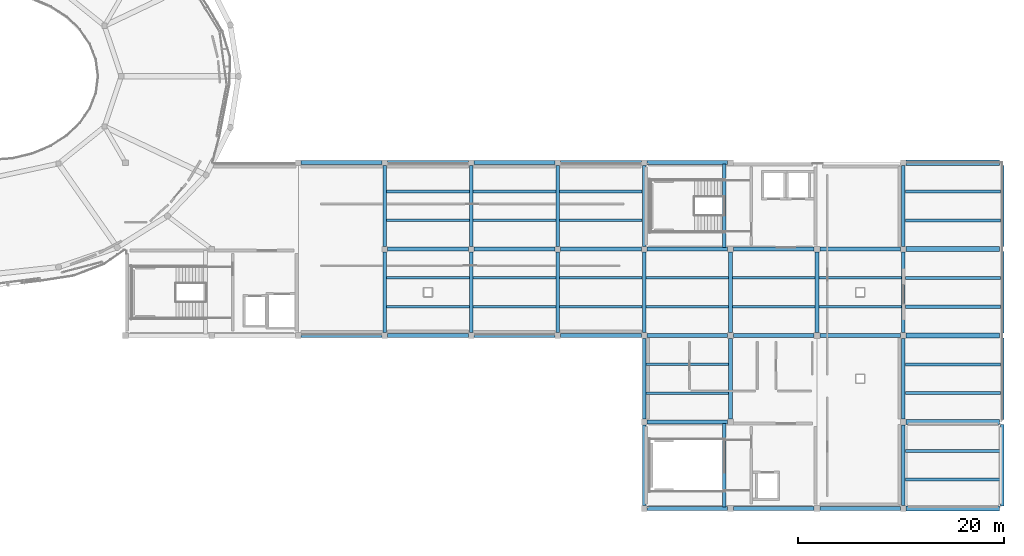
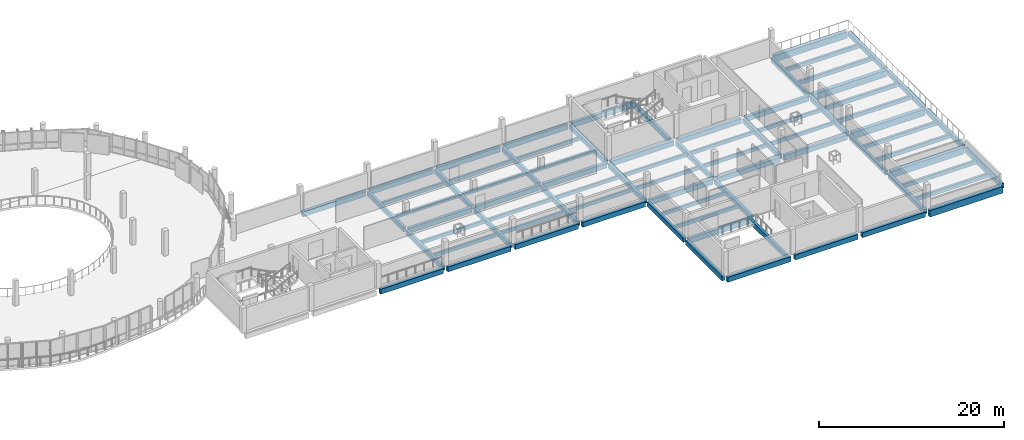
# One storey, part 26 of 43: 78 beams.
"""IFC4 building model written with IfcOpenShell, lengths in metres."""

from ifc_helpers import new_model, si_unit, derived_unit, direction, frame, origin, origin_2d, place, context, subcontext, project, spatial, rectangle, extrude, material, material_profile, profile_set, type_object, element, save


model = new_model("IFC4")

# Units and contexts
model_context = context("Model", 3, precision=1e-05, world=origin(), true_north=direction((0.0, 1.0)))
body_context = subcontext(model_context, "Body", "Model", "MODEL_VIEW")
ifc_project = project(units=[si_unit("LENGTHUNIT", "METRE"), si_unit("AREAUNIT", "SQUARE_METRE"), si_unit("VOLUMEUNIT", "CUBIC_METRE"), si_unit("PLANEANGLEUNIT", "RADIAN"), si_unit("MASSUNIT", "GRAM", prefix="KILO"), derived_unit("THERMALTRANSMITTANCEUNIT", [(si_unit("POWERUNIT", "WATT"), 1), (si_unit("LENGTHUNIT", "METRE"), -2), (si_unit("THERMODYNAMICTEMPERATUREUNIT", "KELVIN"), -1)])], contexts=[model_context])

# Site, building, storey
site_placement = place(None, origin())
site = spatial("IfcSite", under=ifc_project, at=site_placement, CompositionType="ELEMENT")
building_placement = place(site_placement, origin())
building = spatial("IfcBuilding", under=site, at=building_placement, Name="Elbkamm Science Centre", CompositionType="ELEMENT")
storey_placement = place(building_placement, frame((0.0, 0.0, 18.300048828125)))
storey = spatial("IfcBuildingStorey", under=building, at=storey_placement, Name="L04", CompositionType="ELEMENT", Elevation=18.300048828125)

# Beams
ifc_material = material(Name="Concrete C40/50", Category="concrete")
ifc_material_profile_1 = material_profile(ifc_material, rectangle(XDim=0.35009765625, YDim=0.60009765625, at=origin_2d()), Name="RC 350x600")
ifc_profile_set_1 = profile_set([ifc_material_profile_1], Name="Concrete C40/50")
beam_type_1 = type_object("IfcBeamType", Name="BM-RC-350x600", PredefinedType="BEAM", material=ifc_profile_set_1)
beam_1_placement = place(storey_placement, frame((100.800048828125, 42.27490234375, -0.580078125), z_axis=(0.0, 1.0, 0.0), x_axis=(-1.0, 0.0, 0.0)))
element("IfcBeam", 1, at=beam_1_placement, inside=storey, type_object=beam_type_1, Name="L04 Primary Y-Girder 003", PredefinedType="BEAM", context=body_context, shape_type="SweptSolid", body=[
    extrude(rectangle(XDim=0.35009765625, YDim=0.60009765625, at=origin_2d()), origin(), (0.0, 0.0, 1.0), 7.85009765625),
])
beam_2_placement = place(storey_placement, frame((100.800048828125, 50.675048828125, -0.580078125), z_axis=(0.0, 1.0, 0.0), x_axis=(-1.0, 0.0, 0.0)))
element("IfcBeam", 2, at=beam_2_placement, inside=storey, type_object=beam_type_1, Name="L04 Primary Y-Girder 004", PredefinedType="BEAM", context=body_context, shape_type="SweptSolid", body=[
    extrude(rectangle(XDim=0.35009765625, YDim=0.60009765625, at=origin_2d()), origin(), (0.0, 0.0, 1.0), 7.849853515625),
])
beam_3_placement = place(storey_placement, frame((109.199951171875, 42.27490234375, -0.580078125), z_axis=(0.0, 1.0, 0.0), x_axis=(-1.0, 0.0, 0.0)))
element("IfcBeam", 3, at=beam_3_placement, inside=storey, type_object=beam_type_1, Name="L04 Primary Y-Girder 005", PredefinedType="BEAM", context=body_context, shape_type="SweptSolid", body=[
    extrude(rectangle(XDim=0.35009765625, YDim=0.60009765625, at=origin_2d()), origin(), (0.0, 0.0, 1.0), 7.85009765625),
])
beam_4_placement = place(storey_placement, frame((109.199951171875, 50.675048828125, -0.580078125), z_axis=(0.0, 1.0, 0.0), x_axis=(-1.0, 0.0, 0.0)))
element("IfcBeam", 4, at=beam_4_placement, inside=storey, type_object=beam_type_1, Name="L04 Primary Y-Girder 006", PredefinedType="BEAM", context=body_context, shape_type="SweptSolid", body=[
    extrude(rectangle(XDim=0.35009765625, YDim=0.60009765625, at=origin_2d()), origin(), (0.0, 0.0, 1.0), 7.849853515625),
])
beam_5_placement = place(storey_placement, frame((117.60009765625, 42.27490234375, -0.580078125), z_axis=(0.0, 1.0, 0.0), x_axis=(-1.0, 0.0, 0.0)))
element("IfcBeam", 5, at=beam_5_placement, inside=storey, type_object=beam_type_1, Name="L04 Primary Y-Girder 007", PredefinedType="BEAM", context=body_context, shape_type="SweptSolid", body=[
    extrude(rectangle(XDim=0.35009765625, YDim=0.60009765625, at=origin_2d()), origin(), (0.0, 0.0, 1.0), 7.85009765625),
])
for number, where, z_axis, x_axis, name in (
    (6, (117.60009765625, 50.675048828125, -0.580078125), (0.0, 1.0, 0.0), (-1.0, 0.0, 0.0), "L04 Primary Y-Girder 008"),
    (7, (126.0, 25.47509765625, -0.580078125), (0.0, 1.0, 0.0), (-1.0, 0.0, 0.0), "L04 Primary Y-Girder 009"),
):
    element("IfcBeam", number, at=place(storey_placement, frame(where, z_axis=z_axis, x_axis=x_axis)), inside=storey, type_object=beam_type_1, Name=name, PredefinedType="BEAM", context=body_context, shape_type="SweptSolid", body=[
        extrude(rectangle(XDim=0.35009765625, YDim=0.60009765625, at=origin_2d()), origin(), (0.0, 0.0, 1.0), 7.849853515625),
    ])
for number, where, z_axis, x_axis, name in (
    (8, (126.0, 33.875, -0.580078125), (0.0, 1.0, 0.0), (-1.0, 0.0, 0.0), "L04 Primary Y-Girder 010"),
    (9, (126.0, 42.27490234375, -0.580078125), (0.0, 1.0, 0.0), (-1.0, 0.0, 0.0), "L04 Primary Y-Girder 011"),
):
    element("IfcBeam", number, at=place(storey_placement, frame(where, z_axis=z_axis, x_axis=x_axis)), inside=storey, type_object=beam_type_1, Name=name, PredefinedType="BEAM", context=body_context, shape_type="SweptSolid", body=[
        extrude(rectangle(XDim=0.35009765625, YDim=0.60009765625, at=origin_2d()), origin(), (0.0, 0.0, 1.0), 7.85009765625),
    ])
beam_6_placement = place(storey_placement, frame((126.0, 50.675048828125, -0.580078125), z_axis=(0.0, 1.0, 0.0), x_axis=(-1.0, 0.0, 0.0)))
element("IfcBeam", 10, at=beam_6_placement, inside=storey, type_object=beam_type_1, Name="L04 Primary Y-Girder 012", PredefinedType="BEAM", context=body_context, shape_type="SweptSolid", body=[
    extrude(rectangle(XDim=0.35009765625, YDim=0.60009765625, at=origin_2d()), origin(), (0.0, 0.0, 1.0), 7.849853515625),
])
for number, where, z_axis, x_axis, name in (
    (11, (134.39990234375, 33.875, -0.580078125), (0.0, 1.0, 0.0), (-1.0, 0.0, 0.0), "L04 Primary Y-Girder 013"),
    (12, (134.39990234375, 42.27490234375, -0.580078125), (0.0, 1.0, 0.0), (-1.0, 0.0, 0.0), "L04 Primary Y-Girder 014"),
    (13, (142.800048828125, 42.27490234375, -0.580078125), (0.0, 1.0, 0.0), (-1.0, 0.0, 0.0), "L04 Primary Y-Girder 015"),
):
    element("IfcBeam", number, at=place(storey_placement, frame(where, z_axis=z_axis, x_axis=x_axis)), inside=storey, type_object=beam_type_1, Name=name, PredefinedType="BEAM", context=body_context, shape_type="SweptSolid", body=[
        extrude(rectangle(XDim=0.35009765625, YDim=0.60009765625, at=origin_2d()), origin(), (0.0, 0.0, 1.0), 7.85009765625),
    ])
beam_7_placement = place(storey_placement, frame((151.199951171875, 25.47509765625, -0.580078125), z_axis=(0.0, 1.0, 0.0), x_axis=(-1.0, 0.0, 0.0)))
element("IfcBeam", 14, at=beam_7_placement, inside=storey, type_object=beam_type_1, Name="L04 Primary Y-Girder 016", PredefinedType="BEAM", context=body_context, shape_type="SweptSolid", body=[
    extrude(rectangle(XDim=0.35009765625, YDim=0.60009765625, at=origin_2d()), origin(), (0.0, 0.0, 1.0), 7.849853515625),
])
for number, where, z_axis, x_axis, name in (
    (15, (151.199951171875, 33.875, -0.580078125), (0.0, 1.0, 0.0), (-1.0, 0.0, 0.0), "L04 Primary Y-Girder 017"),
    (16, (151.199951171875, 42.27490234375, -0.580078125), (0.0, 1.0, 0.0), (-1.0, 0.0, 0.0), "L04 Primary Y-Girder 018"),
):
    element("IfcBeam", number, at=place(storey_placement, frame(where, z_axis=z_axis, x_axis=x_axis)), inside=storey, type_object=beam_type_1, Name=name, PredefinedType="BEAM", context=body_context, shape_type="SweptSolid", body=[
        extrude(rectangle(XDim=0.35009765625, YDim=0.60009765625, at=origin_2d()), origin(), (0.0, 0.0, 1.0), 7.85009765625),
    ])
beam_8_placement = place(storey_placement, frame((151.199951171875, 50.675048828125, -0.580078125), z_axis=(0.0, 1.0, 0.0), x_axis=(-1.0, 0.0, 0.0)))
element("IfcBeam", 17, at=beam_8_placement, inside=storey, type_object=beam_type_1, Name="L04 Primary Y-Girder 019", PredefinedType="BEAM", context=body_context, shape_type="SweptSolid", body=[
    extrude(rectangle(XDim=0.35009765625, YDim=0.60009765625, at=origin_2d()), origin(), (0.0, 0.0, 1.0), 7.849853515625),
])
beam_9_placement = place(storey_placement, frame((160.800048828125, 25.449951171875, -0.570068359375), z_axis=(0.0, 1.0, 0.0), x_axis=(-1.0, 0.0, 0.0)))
element("IfcBeam", 18, at=beam_9_placement, inside=storey, type_object=beam_type_1, Name="L04 Primary Y-Girder 020", PredefinedType="BEAM", context=body_context, shape_type="SweptSolid", body=[
    extrude(rectangle(XDim=0.35009765625, YDim=0.60009765625, at=origin_2d()), origin(), (0.0, 0.0, 1.0), 7.900146484375),
])
for number, where, z_axis, x_axis, name in (
    (19, (160.800048828125, 33.85009765625, -0.52001953125), (0.0, 1.0, 0.0), (-1.0, 0.0, 0.0), "L04 Primary Y-Girder 021"),
    (20, (160.800048828125, 42.25, -0.52001953125), (0.0, 1.0, 0.0), (-1.0, 0.0, 0.0), "L04 Primary Y-Girder 022"),
):
    element("IfcBeam", number, at=place(storey_placement, frame(where, z_axis=z_axis, x_axis=x_axis)), inside=storey, type_object=beam_type_1, Name=name, PredefinedType="BEAM", context=body_context, shape_type="SweptSolid", body=[
        extrude(rectangle(XDim=0.35009765625, YDim=0.60009765625, at=origin_2d()), origin(), (0.0, 0.0, 1.0), 7.89990234375),
    ])
beam_10_placement = place(storey_placement, frame((160.800048828125, 50.64990234375, -0.52001953125), z_axis=(0.0, 1.0, 0.0), x_axis=(-1.0, 0.0, 0.0)))
element("IfcBeam", 21, at=beam_10_placement, inside=storey, type_object=beam_type_1, Name="L04 Primary Y-Girder 023", PredefinedType="BEAM", context=body_context, shape_type="SweptSolid", body=[
    extrude(rectangle(XDim=0.35009765625, YDim=0.60009765625, at=origin_2d()), origin(), (0.0, 0.0, 1.0), 7.900146484375),
])
for number, where, z_axis, x_axis, name in (
    (22, (133.780029296875, 50.550048828125, -0.300048828125), (0.0, 1.0, 0.0), (-1.0, 0.0, 0.0), "L04 ST-C3 Landing Trimmer Beam"),
    (23, (133.780029296875, 25.35009765625, -0.300048828125), (0.0, 1.0, 0.0), (-1.0, 0.0, 0.0), "L04 ST-C4 Landing Trimmer Beam"),
):
    element("IfcBeam", number, at=place(storey_placement, frame(where, z_axis=z_axis, x_axis=x_axis)), inside=storey, type_object=beam_type_1, Name=name, PredefinedType="BEAM", context=body_context, shape_type="SweptSolid", body=[
        extrude(rectangle(XDim=0.35009765625, YDim=0.60009765625, at=origin_2d()), origin(), (0.0, 0.0, 1.0), 8.099853515625),
    ])
ifc_material_profile_2 = material_profile(ifc_material, rectangle(XDim=0.39990234375, YDim=0.64990234375, at=origin_2d()), Name="RC 400x650")
ifc_profile_set_2 = profile_set([ifc_material_profile_2], Name="Concrete C40/50")
beam_type_2 = type_object("IfcBeamType", Name="BM-RC-400x650", PredefinedType="BEAM", material=ifc_profile_set_2)
beam_11_placement = place(storey_placement, frame((126.27490234375, 25.199951171875, -0.60498046875), z_axis=(1.0, 0.0, 0.0), x_axis=(0.0, 1.0, 0.0)))
element("IfcBeam", 24, at=beam_11_placement, inside=storey, type_object=beam_type_2, Name="L04 Primary X-Girder 001", PredefinedType="BEAM", context=body_context, shape_type="SweptSolid", body=[
    extrude(rectangle(XDim=0.39990234375, YDim=0.64990234375, at=origin_2d()), origin(), (0.0, 0.0, 1.0), 7.85009765625),
])
beam_12_placement = place(storey_placement, frame((134.675048828125, 25.199951171875, -0.60498046875), z_axis=(1.0, 0.0, 0.0), x_axis=(0.0, 1.0, 0.0)))
element("IfcBeam", 25, at=beam_12_placement, inside=storey, type_object=beam_type_2, Name="L04 Primary X-Girder 002", PredefinedType="BEAM", context=body_context, shape_type="SweptSolid", body=[
    extrude(rectangle(XDim=0.39990234375, YDim=0.64990234375, at=origin_2d()), origin(), (0.0, 0.0, 1.0), 7.849853515625),
])
for number, where, z_axis, x_axis, name in (
    (26, (143.074951171875, 25.199951171875, -0.60498046875), (1.0, 0.0, 0.0), (0.0, 1.0, 0.0), "L04 Primary X-Girder 003"),
    (27, (126.27490234375, 33.60009765625, -0.60498046875), (1.0, 0.0, 0.0), (0.0, 1.0, 0.0), "L04 Primary X-Girder 005"),
):
    element("IfcBeam", number, at=place(storey_placement, frame(where, z_axis=z_axis, x_axis=x_axis)), inside=storey, type_object=beam_type_2, Name=name, PredefinedType="BEAM", context=body_context, shape_type="SweptSolid", body=[
        extrude(rectangle(XDim=0.39990234375, YDim=0.64990234375, at=origin_2d()), origin(), (0.0, 0.0, 1.0), 7.85009765625),
    ])
beam_13_placement = place(storey_placement, frame((92.675048828125, 42.0, -0.60498046875), z_axis=(1.0, 0.0, 0.0), x_axis=(0.0, 1.0, 0.0)))
element("IfcBeam", 28, at=beam_13_placement, inside=storey, type_object=beam_type_2, Name="L04 Primary X-Girder 009", PredefinedType="BEAM", context=body_context, shape_type="SweptSolid", body=[
    extrude(rectangle(XDim=0.39990234375, YDim=0.64990234375, at=origin_2d()), origin(), (0.0, 0.0, 1.0), 7.849853515625),
])
beam_14_placement = place(storey_placement, frame((101.074951171875, 42.0, -0.60498046875), z_axis=(1.0, 0.0, 0.0), x_axis=(0.0, 1.0, 0.0)))
element("IfcBeam", 29, at=beam_14_placement, inside=storey, type_object=beam_type_2, Name="L04 Primary X-Girder 010", PredefinedType="BEAM", context=body_context, shape_type="SweptSolid", body=[
    extrude(rectangle(XDim=0.39990234375, YDim=0.64990234375, at=origin_2d()), origin(), (0.0, 0.0, 1.0), 7.85009765625),
])
beam_15_placement = place(storey_placement, frame((109.47509765625, 42.0, -0.60498046875), z_axis=(1.0, 0.0, 0.0), x_axis=(0.0, 1.0, 0.0)))
element("IfcBeam", 30, at=beam_15_placement, inside=storey, type_object=beam_type_2, Name="L04 Primary X-Girder 011", PredefinedType="BEAM", context=body_context, shape_type="SweptSolid", body=[
    extrude(rectangle(XDim=0.39990234375, YDim=0.64990234375, at=origin_2d()), origin(), (0.0, 0.0, 1.0), 7.849853515625),
])
for number, where, z_axis, x_axis, name in (
    (31, (117.875, 42.0, -0.60498046875), (1.0, 0.0, 0.0), (0.0, 1.0, 0.0), "L04 Primary X-Girder 012"),
    (32, (126.27490234375, 42.0, -0.60498046875), (1.0, 0.0, 0.0), (0.0, 1.0, 0.0), "L04 Primary X-Girder 013"),
):
    element("IfcBeam", number, at=place(storey_placement, frame(where, z_axis=z_axis, x_axis=x_axis)), inside=storey, type_object=beam_type_2, Name=name, PredefinedType="BEAM", context=body_context, shape_type="SweptSolid", body=[
        extrude(rectangle(XDim=0.39990234375, YDim=0.64990234375, at=origin_2d()), origin(), (0.0, 0.0, 1.0), 7.85009765625),
    ])
beam_16_placement = place(storey_placement, frame((134.675048828125, 42.0, -0.60498046875), z_axis=(1.0, 0.0, 0.0), x_axis=(0.0, 1.0, 0.0)))
element("IfcBeam", 33, at=beam_16_placement, inside=storey, type_object=beam_type_2, Name="L04 Primary X-Girder 014", PredefinedType="BEAM", context=body_context, shape_type="SweptSolid", body=[
    extrude(rectangle(XDim=0.39990234375, YDim=0.64990234375, at=origin_2d()), origin(), (0.0, 0.0, 1.0), 7.849853515625),
])
for number, where, z_axis, x_axis, name in (
    (34, (143.074951171875, 42.0, -0.60498046875), (1.0, 0.0, 0.0), (0.0, 1.0, 0.0), "L04 Primary X-Girder 015"),
    (35, (101.074951171875, 50.39990234375, -0.60498046875), (1.0, 0.0, 0.0), (0.0, 1.0, 0.0), "L04 Primary X-Girder 017"),
):
    element("IfcBeam", number, at=place(storey_placement, frame(where, z_axis=z_axis, x_axis=x_axis)), inside=storey, type_object=beam_type_2, Name=name, PredefinedType="BEAM", context=body_context, shape_type="SweptSolid", body=[
        extrude(rectangle(XDim=0.39990234375, YDim=0.64990234375, at=origin_2d()), origin(), (0.0, 0.0, 1.0), 7.85009765625),
    ])
beam_17_placement = place(storey_placement, frame((109.47509765625, 50.39990234375, -0.60498046875), z_axis=(1.0, 0.0, 0.0), x_axis=(0.0, 1.0, 0.0)))
element("IfcBeam", 36, at=beam_17_placement, inside=storey, type_object=beam_type_2, Name="L04 Primary X-Girder 018", PredefinedType="BEAM", context=body_context, shape_type="SweptSolid", body=[
    extrude(rectangle(XDim=0.39990234375, YDim=0.64990234375, at=origin_2d()), origin(), (0.0, 0.0, 1.0), 7.849853515625),
])
for number, where, z_axis, x_axis, name in (
    (37, (117.875, 50.39990234375, -0.60498046875), (1.0, 0.0, 0.0), (0.0, 1.0, 0.0), "L04 Primary X-Girder 019"),
    (38, (126.27490234375, 50.39990234375, -0.60498046875), (1.0, 0.0, 0.0), (0.0, 1.0, 0.0), "L04 Primary X-Girder 020"),
):
    element("IfcBeam", number, at=place(storey_placement, frame(where, z_axis=z_axis, x_axis=x_axis)), inside=storey, type_object=beam_type_2, Name=name, PredefinedType="BEAM", context=body_context, shape_type="SweptSolid", body=[
        extrude(rectangle(XDim=0.39990234375, YDim=0.64990234375, at=origin_2d()), origin(), (0.0, 0.0, 1.0), 7.85009765625),
    ])
beam_18_placement = place(storey_placement, frame((134.675048828125, 50.39990234375, -0.60498046875), z_axis=(1.0, 0.0, 0.0), x_axis=(0.0, 1.0, 0.0)))
element("IfcBeam", 39, at=beam_18_placement, inside=storey, type_object=beam_type_2, Name="L04 Primary X-Girder 021", PredefinedType="BEAM", context=body_context, shape_type="SweptSolid", body=[
    extrude(rectangle(XDim=0.39990234375, YDim=0.64990234375, at=origin_2d()), origin(), (0.0, 0.0, 1.0), 7.849853515625),
])
beam_19_placement = place(storey_placement, frame((143.074951171875, 50.39990234375, -0.60498046875), z_axis=(1.0, 0.0, 0.0), x_axis=(0.0, 1.0, 0.0)))
element("IfcBeam", 40, at=beam_19_placement, inside=storey, type_object=beam_type_2, Name="L04 Primary X-Girder 022", PredefinedType="BEAM", context=body_context, shape_type="SweptSolid", body=[
    extrude(rectangle(XDim=0.39990234375, YDim=0.64990234375, at=origin_2d()), origin(), (0.0, 0.0, 1.0), 7.85009765625),
])
beam_20_placement = place(storey_placement, frame((92.675048828125, 58.800048828125, -0.60498046875), z_axis=(1.0, 0.0, 0.0), x_axis=(0.0, 1.0, 0.0)))
element("IfcBeam", 41, at=beam_20_placement, inside=storey, type_object=beam_type_2, Name="L04 Primary X-Girder 025", PredefinedType="BEAM", context=body_context, shape_type="SweptSolid", body=[
    extrude(rectangle(XDim=0.39990234375, YDim=0.64990234375, at=origin_2d()), origin(), (0.0, 0.0, 1.0), 7.849853515625),
])
beam_21_placement = place(storey_placement, frame((101.074951171875, 58.800048828125, -0.60498046875), z_axis=(1.0, 0.0, 0.0), x_axis=(0.0, 1.0, 0.0)))
element("IfcBeam", 42, at=beam_21_placement, inside=storey, type_object=beam_type_2, Name="L04 Primary X-Girder 026", PredefinedType="BEAM", context=body_context, shape_type="SweptSolid", body=[
    extrude(rectangle(XDim=0.39990234375, YDim=0.64990234375, at=origin_2d()), origin(), (0.0, 0.0, 1.0), 7.85009765625),
])
beam_22_placement = place(storey_placement, frame((109.47509765625, 58.800048828125, -0.60498046875), z_axis=(1.0, 0.0, 0.0), x_axis=(0.0, 1.0, 0.0)))
element("IfcBeam", 43, at=beam_22_placement, inside=storey, type_object=beam_type_2, Name="L04 Primary X-Girder 027", PredefinedType="BEAM", context=body_context, shape_type="SweptSolid", body=[
    extrude(rectangle(XDim=0.39990234375, YDim=0.64990234375, at=origin_2d()), origin(), (0.0, 0.0, 1.0), 7.849853515625),
])
for number, where, z_axis, x_axis, name in (
    (44, (117.875, 58.800048828125, -0.60498046875), (1.0, 0.0, 0.0), (0.0, 1.0, 0.0), "L04 Primary X-Girder 028"),
    (45, (126.27490234375, 58.800048828125, -0.60498046875), (1.0, 0.0, 0.0), (0.0, 1.0, 0.0), "L04 Primary X-Girder 029"),
):
    element("IfcBeam", number, at=place(storey_placement, frame(where, z_axis=z_axis, x_axis=x_axis)), inside=storey, type_object=beam_type_2, Name=name, PredefinedType="BEAM", context=body_context, shape_type="SweptSolid", body=[
        extrude(rectangle(XDim=0.39990234375, YDim=0.64990234375, at=origin_2d()), origin(), (0.0, 0.0, 1.0), 7.85009765625),
    ])
ifc_material_profile_3 = material_profile(ifc_material, rectangle(XDim=0.5, YDim=0.85009765625, at=origin_2d()), Name="RC 500x850")
ifc_profile_set_3 = profile_set([ifc_material_profile_3], Name="Concrete C40/50")
beam_type_3 = type_object("IfcBeamType", Name="BM-RC-500x850", PredefinedType="BEAM", material=ifc_profile_set_3)
for number, where, z_axis, x_axis, name in (
    (46, (151.47509765625, 25.199951171875, -0.695068359375), (1.0, 0.0, 0.0), (0.0, 1.0, 0.0), "L04 Primary X-Girder 004"),
    (47, (151.47509765625, 33.60009765625, -0.64501953125), (1.0, 0.0, 0.0), (0.0, 1.0, 0.0), "L04 Primary X-Girder 006"),
    (48, (151.47509765625, 42.0, -0.64501953125), (1.0, 0.0, 0.0), (0.0, 1.0, 0.0), "L04 Primary X-Girder 016"),
    (49, (151.47509765625, 50.39990234375, -0.64501953125), (1.0, 0.0, 0.0), (0.0, 1.0, 0.0), "L04 Primary X-Girder 023"),
    (50, (151.47509765625, 58.800048828125, -0.64501953125), (1.0, 0.0, 0.0), (0.0, 1.0, 0.0), "L04 Primary X-Girder 030"),
):
    element("IfcBeam", number, at=place(storey_placement, frame(where, z_axis=z_axis, x_axis=x_axis)), inside=storey, type_object=beam_type_3, Name=name, PredefinedType="BEAM", context=body_context, shape_type="SweptSolid", body=[
        extrude(rectangle(XDim=0.5, YDim=0.85009765625, at=origin_2d()), origin(), (0.0, 0.0, 1.0), 9.074951171875),
    ])
ifc_material_profile_4 = material_profile(ifc_material, rectangle(XDim=0.25, YDim=0.449951171875, at=origin_2d()), Name="RC 250x450")
ifc_profile_set_4 = profile_set([ifc_material_profile_4], Name="Concrete C40/50")
beam_type_4 = type_object("IfcBeamType", Name="JST-RC-250x450", PredefinedType="JOIST", material=ifc_profile_set_4)
for number, where, z_axis, x_axis, name in (
    (51, (100.97998046875, 44.800048828125, -0.505126953125), (1.0, 0.0, 0.0), (0.0, 1.0, 0.0), "L04 Secondary Floor Joist 003"),
    (52, (100.97998046875, 47.60009765625, -0.505126953125), (1.0, 0.0, 0.0), (0.0, 1.0, 0.0), "L04 Secondary Floor Joist 004"),
    (53, (100.97998046875, 53.199951171875, -0.505126953125), (1.0, 0.0, 0.0), (0.0, 1.0, 0.0), "L04 Secondary Floor Joist 005"),
    (54, (100.97998046875, 56.0, -0.505126953125), (1.0, 0.0, 0.0), (0.0, 1.0, 0.0), "L04 Secondary Floor Joist 006"),
    (55, (109.3798828125, 44.800048828125, -0.505126953125), (1.0, 0.0, 0.0), (0.0, 1.0, 0.0), "L04 Secondary Floor Joist 007"),
    (56, (109.3798828125, 47.60009765625, -0.505126953125), (1.0, 0.0, 0.0), (0.0, 1.0, 0.0), "L04 Secondary Floor Joist 008"),
    (57, (109.3798828125, 53.199951171875, -0.505126953125), (1.0, 0.0, 0.0), (0.0, 1.0, 0.0), "L04 Secondary Floor Joist 009"),
    (58, (109.3798828125, 56.0, -0.505126953125), (1.0, 0.0, 0.0), (0.0, 1.0, 0.0), "L04 Secondary Floor Joist 010"),
    (59, (117.780029296875, 44.800048828125, -0.505126953125), (1.0, 0.0, 0.0), (0.0, 1.0, 0.0), "L04 Secondary Floor Joist 011"),
    (60, (117.780029296875, 47.60009765625, -0.505126953125), (1.0, 0.0, 0.0), (0.0, 1.0, 0.0), "L04 Secondary Floor Joist 012"),
    (61, (117.780029296875, 53.199951171875, -0.505126953125), (1.0, 0.0, 0.0), (0.0, 1.0, 0.0), "L04 Secondary Floor Joist 013"),
    (62, (117.780029296875, 56.0, -0.505126953125), (1.0, 0.0, 0.0), (0.0, 1.0, 0.0), "L04 Secondary Floor Joist 014"),
    (63, (126.179931640625, 36.39990234375, -0.505126953125), (1.0, 0.0, 0.0), (0.0, 1.0, 0.0), "L04 Secondary Floor Joist 015"),
    (64, (126.179931640625, 39.199951171875, -0.505126953125), (1.0, 0.0, 0.0), (0.0, 1.0, 0.0), "L04 Secondary Floor Joist 016"),
    (65, (126.179931640625, 44.800048828125, -0.505126953125), (1.0, 0.0, 0.0), (0.0, 1.0, 0.0), "L04 Secondary Floor Joist 017"),
    (66, (126.179931640625, 47.60009765625, -0.505126953125), (1.0, 0.0, 0.0), (0.0, 1.0, 0.0), "L04 Secondary Floor Joist 018"),
    (67, (134.580078125, 44.800048828125, -0.505126953125), (1.0, 0.0, 0.0), (0.0, 1.0, 0.0), "L04 Secondary Floor Joist 019"),
    (68, (134.580078125, 47.60009765625, -0.505126953125), (1.0, 0.0, 0.0), (0.0, 1.0, 0.0), "L04 Secondary Floor Joist 020"),
    (69, (142.97998046875, 44.800048828125, -0.505126953125), (1.0, 0.0, 0.0), (0.0, 1.0, 0.0), "L04 Secondary Floor Joist 021"),
    (70, (142.97998046875, 47.60009765625, -0.505126953125), (1.0, 0.0, 0.0), (0.0, 1.0, 0.0), "L04 Secondary Floor Joist 022"),
):
    element("IfcBeam", number, at=place(storey_placement, frame(where, z_axis=z_axis, x_axis=x_axis)), inside=storey, type_object=beam_type_4, Name=name, PredefinedType="JOIST", context=body_context, shape_type="SweptSolid", body=[
        extrude(rectangle(XDim=0.25, YDim=0.449951171875, at=origin_2d()), origin(), (0.0, 0.0, 1.0), 8.0400390625),
    ])
ifc_material_profile_5 = material_profile(ifc_material, rectangle(XDim=0.300048828125, YDim=0.5, at=origin_2d()), Name="RC 300x500")
ifc_profile_set_5 = profile_set([ifc_material_profile_5], Name="Concrete C40/50")
beam_type_5 = type_object("IfcBeamType", Name="JST-RC-300x500", PredefinedType="JOIST", material=ifc_profile_set_5)
for number, where, z_axis, x_axis, name in (
    (71, (151.3798828125, 36.39990234375, -0.469970703125), (1.0, 0.0, 0.0), (0.0, 1.0, 0.0), "L04 Secondary Floor Joist 023"),
    (72, (151.3798828125, 39.199951171875, -0.469970703125), (1.0, 0.0, 0.0), (0.0, 1.0, 0.0), "L04 Secondary Floor Joist 024"),
    (73, (151.3798828125, 44.800048828125, -0.469970703125), (1.0, 0.0, 0.0), (0.0, 1.0, 0.0), "L04 Secondary Floor Joist 025"),
    (74, (151.3798828125, 47.60009765625, -0.469970703125), (1.0, 0.0, 0.0), (0.0, 1.0, 0.0), "L04 Secondary Floor Joist 026"),
    (75, (151.3798828125, 53.199951171875, -0.469970703125), (1.0, 0.0, 0.0), (0.0, 1.0, 0.0), "L04 Secondary Floor Joist 027"),
    (76, (151.3798828125, 56.0, -0.469970703125), (1.0, 0.0, 0.0), (0.0, 1.0, 0.0), "L04 Secondary Floor Joist 028"),
    (77, (151.3798828125, 28.0, -0.52001953125), (1.0, 0.0, 0.0), (0.0, 1.0, 0.0), "L04 Step-Back Secondary Floor Joist 001"),
    (78, (151.3798828125, 30.800048828125, -0.52001953125), (1.0, 0.0, 0.0), (0.0, 1.0, 0.0), "L04 Step-Back Secondary Floor Joist 002"),
):
    element("IfcBeam", number, at=place(storey_placement, frame(where, z_axis=z_axis, x_axis=x_axis)), inside=storey, type_object=beam_type_5, Name=name, PredefinedType="JOIST", context=body_context, shape_type="SweptSolid", body=[
        extrude(rectangle(XDim=0.300048828125, YDim=0.5, at=origin_2d()), origin(), (0.0, 0.0, 1.0), 9.240234375),
    ])

save(model, "model.ifc")
